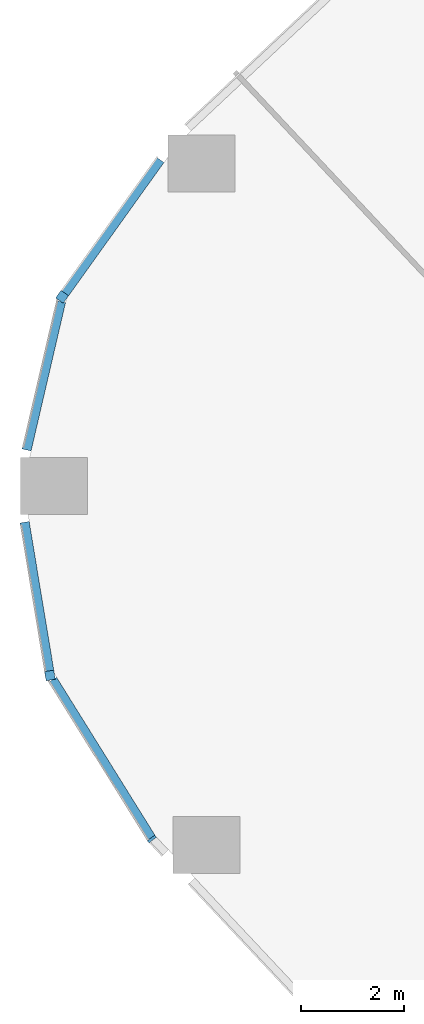
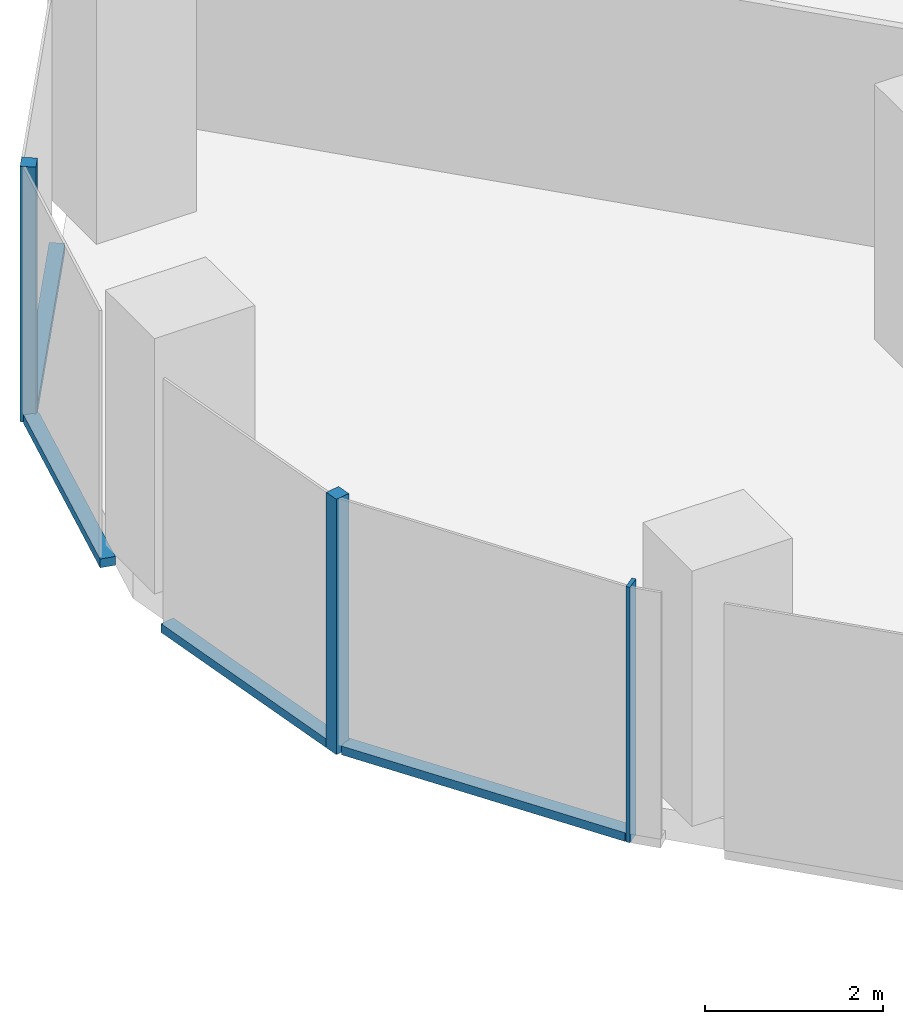
# One storey, part 3 of 34: 7 members, 4 elements without a shape of their own.
"""IFC4 building model written with IfcOpenShell, lengths in metres."""

from ifc_helpers import new_model, si_unit, direction, frame, origin, origin_2d, place, context, subcontext, project, spatial, rectangle, extrude, material, material_profile, profile_set, type_object, element, aggregate, save


model = new_model("IFC4")

# Units and contexts
model_context = context("Model", 3, precision=1e-05, world=origin(), true_north=direction((0.0, 1.0)))
body_context = subcontext(model_context, "Body", "Model", "MODEL_VIEW")
ifc_project = project(units=[si_unit("LENGTHUNIT", "METRE"), si_unit("AREAUNIT", "SQUARE_METRE"), si_unit("VOLUMEUNIT", "CUBIC_METRE"), si_unit("PLANEANGLEUNIT", "RADIAN"), si_unit("MASSUNIT", "GRAM", prefix="KILO")], contexts=[model_context])

# Site, building, storey
site_placement = place(None, origin())
site = spatial("IfcSite", under=ifc_project, at=site_placement, CompositionType="ELEMENT")
building_placement = place(site_placement, origin())
building = spatial("IfcBuilding", under=site, at=building_placement, Name="Orlundy Tower", CompositionType="ELEMENT")
storey_placement = place(building_placement, frame((0.0, 0.0, 44.300048828125)))
storey = spatial("IfcBuildingStorey", under=building, at=storey_placement, Name="L09", CompositionType="ELEMENT", Elevation=44.300048828125)

# Curtain wall, member
ifc_material_1 = material(Name="Aluminium bronze anodised", Category="aluminium")
curtain_wall_type = type_object("IfcCurtainWallType", Name="CW1 wall", PredefinedType="NOTDEFINED", material=ifc_material_1)
curtain_wall_1_placement = place(storey_placement, origin())
curtain_wall_1 = element("IfcCurtainWall", 1, at=curtain_wall_1_placement, inside=storey, type_object=curtain_wall_type, Name="CW1 run 025", PredefinedType="NOTDEFINED")
ifc_material_2 = material(Name="Aluminium bronze anodised", Category="aluminium")
ifc_material_profile_1 = material_profile(ifc_material_2, rectangle(XDim=0.179931640625, YDim=0.179931640625, at=origin_2d()), Name="CW1 corner post 180x180")
ifc_profile_set_1 = profile_set([ifc_material_profile_1], Name="Aluminium bronze anodised")
member_type_1 = type_object("IfcMemberType", Name="CW1 corner post 180x180", PredefinedType="MULLION", material=ifc_profile_set_1)
member_1_placement = place(storey_placement, frame((-53.35595703125, -30.617431640625, -0.420166015625), z_axis=(0.0, 0.0, 1.0), x_axis=(-0.986546608379, -0.163480241914, 0.0)))
member_1 = element("IfcMember", 2, at=member_1_placement, type_object=member_type_1, Name="CW1 mullion 66", PredefinedType="MULLION", context=body_context, shape_type="SweptSolid", body=[
    extrude(rectangle(XDim=0.179931640625, YDim=0.179931640625, at=origin_2d()), origin(), (0.0, 0.0, 1.0), 3.5),
])

curtain_wall_2_placement = place(storey_placement, origin())
curtain_wall_2 = element("IfcCurtainWall", 3, at=curtain_wall_2_placement, inside=storey, type_object=curtain_wall_type, Name="CW1 run 027", PredefinedType="NOTDEFINED")
member_2_placement = place(storey_placement, frame((-53.12060546875, -23.279296875, -0.420166015625), z_axis=(0.0, 0.0, 1.0), x_axis=(-0.813204454711, 0.58197810512, 0.0)))
member_2 = element("IfcMember", 4, at=member_2_placement, type_object=member_type_1, Name="CW1 mullion 68", PredefinedType="MULLION", context=body_context, shape_type="SweptSolid", body=[
    extrude(rectangle(XDim=0.179931640625, YDim=0.179931640625, at=origin_2d()), origin(), (0.0, 0.0, 1.0), 3.5),
])

# Curtain wall, members
curtain_wall_3_placement = place(storey_placement, origin())
curtain_wall_3 = element("IfcCurtainWall", 5, at=curtain_wall_3_placement, inside=storey, type_object=curtain_wall_type, Name="CW1 run 024", PredefinedType="NOTDEFINED")
ifc_material_3 = material(Name="Aluminium bronze anodised", Category="aluminium")
ifc_material_profile_2 = material_profile(ifc_material_3, rectangle(XDim=0.179931640625, YDim=0.050048828125, at=origin_2d()), Name="CW1 mullion 50x180")
ifc_profile_set_2 = profile_set([ifc_material_profile_2], Name="Aluminium bronze anodised")
member_type_2 = type_object("IfcMemberType", Name="CW1 mullion 50x180", PredefinedType="MULLION", material=ifc_profile_set_2)
member_3_placement = place(storey_placement, frame((-51.381591796875, -33.7861328125, -0.420166015625), z_axis=(0.0, 0.0, 1.0), x_axis=(-0.792872838919, -0.609387119412, 0.0)))
member_3 = element("IfcMember", 6, at=member_3_placement, type_object=member_type_2, Name="CW1 mullion 65", PredefinedType="MULLION", context=body_context, shape_type="SweptSolid", body=[
    extrude(rectangle(XDim=0.179931640625, YDim=0.050048828125, at=origin_2d()), origin(), (0.0, 0.0, 1.0), 3.5),
])
ifc_material_4 = material(Name="Aluminium bronze anodised", Category="aluminium")
ifc_material_profile_3 = material_profile(ifc_material_4, rectangle(XDim=0.179931640625, YDim=0.1201171875, at=origin_2d()), Name="CW1 transom 180x120")
ifc_profile_set_3 = profile_set([ifc_material_profile_3], Name="Aluminium bronze anodised")
member_type_3 = type_object("IfcMemberType", Name="CW1 transom 180x120", PredefinedType="USERDEFINED", material=ifc_profile_set_3)
member_4_placement = place(storey_placement, frame((-51.39501953125, -33.764892578125, -0.360107421875), z_axis=(-0.528801130179, 0.848745759767, 0.0), x_axis=(-0.848745759767, -0.528801130179, 0.0)))
member_4 = element("IfcMember", 7, at=member_4_placement, type_object=member_type_3, Name="CW1 transom", ObjectType="TRANSOM", PredefinedType="USERDEFINED", context=body_context, shape_type="SweptSolid", body=[
    extrude(rectangle(XDim=0.179931640625, YDim=0.1201171875, at=origin_2d()), origin(), (0.0, 0.0, 1.0), 3.61083984375),
])
aggregate(curtain_wall_3, [member_3, member_4])

# Member
member_5_placement = place(storey_placement, frame((-53.37060546875, -30.528564453125, -0.360107421875), z_axis=(-0.163490786089, 0.98654486105, 0.0), x_axis=(-0.98654486105, -0.163490786089, 0.0)))
member_5 = element("IfcMember", 8, at=member_5_placement, type_object=member_type_3, Name="CW1 transom", ObjectType="TRANSOM", PredefinedType="USERDEFINED", context=body_context, shape_type="SweptSolid", body=[
    extrude(rectangle(XDim=0.179931640625, YDim=0.1201171875, at=origin_2d()), origin(), (0.0, 0.0, 1.0), 2.9208984375),
])

aggregate(curtain_wall_1, [member_1, member_5])

# Curtain wall, member
curtain_wall_4_placement = place(storey_placement, origin())
curtain_wall_4 = element("IfcCurtainWall", 9, at=curtain_wall_4_placement, inside=storey, type_object=curtain_wall_type, Name="CW1 run 026", PredefinedType="NOTDEFINED")
member_6_placement = place(storey_placement, frame((-53.81005859375, -26.2470703125, -0.360107421875), z_axis=(0.226298002237, 0.97405811643, 0.0), x_axis=(-0.97405811643, 0.226298002237, 0.0)))
member_6 = element("IfcMember", 10, at=member_6_placement, type_object=member_type_3, Name="CW1 transom", ObjectType="TRANSOM", PredefinedType="USERDEFINED", context=body_context, shape_type="SweptSolid", body=[
    extrude(rectangle(XDim=0.179931640625, YDim=0.1201171875, at=origin_2d()), origin(), (0.0, 0.0, 1.0), 2.949462890625),
])
aggregate(curtain_wall_4, [member_6])

# Member
member_7_placement = place(storey_placement, frame((-53.068115234375, -23.2060546875, -0.360107421875), z_axis=(0.581943728073, 0.813229055898, 0.0), x_axis=(-0.813229055898, 0.581943728073, 0.0)))
member_7 = element("IfcMember", 11, at=member_7_placement, type_object=member_type_3, Name="CW1 transom", ObjectType="TRANSOM", PredefinedType="USERDEFINED", context=body_context, shape_type="SweptSolid", body=[
    extrude(rectangle(XDim=0.179931640625, YDim=0.1201171875, at=origin_2d()), origin(), (0.0, 0.0, 1.0), 3.174072265625),
])

aggregate(curtain_wall_2, [member_2, member_7])

save(model, "model.ifc")
